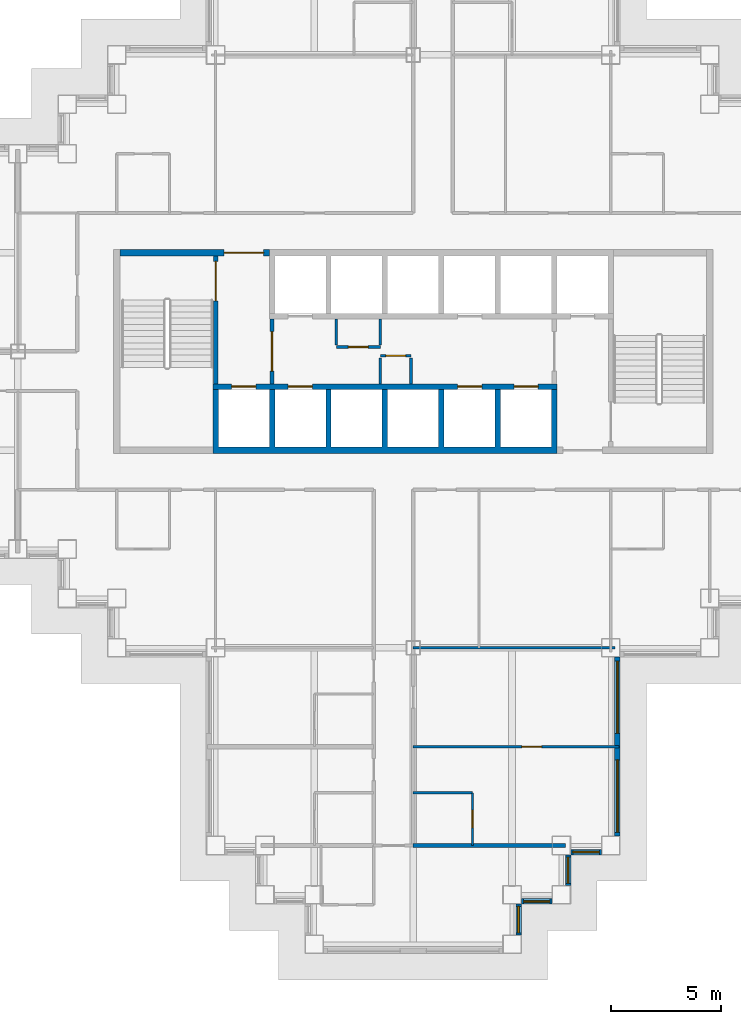
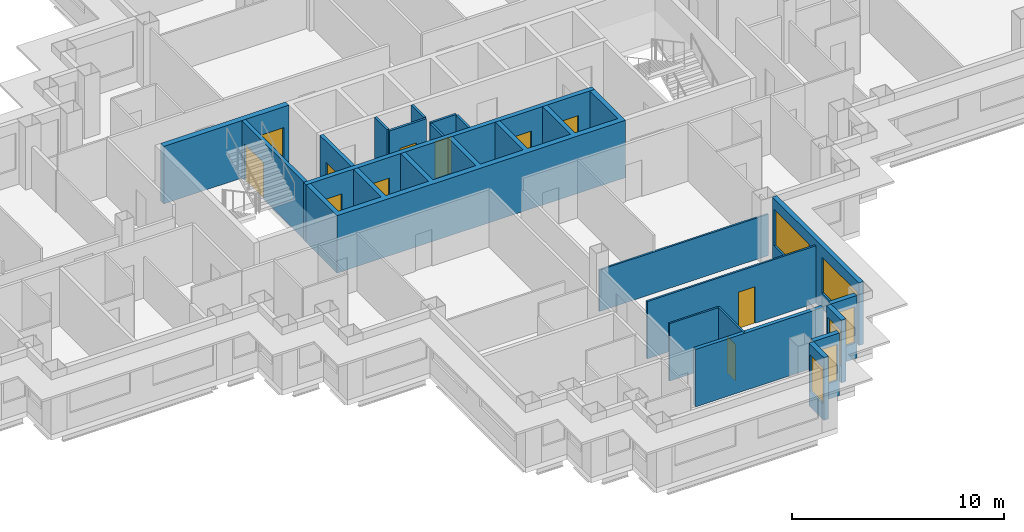
# One storey, part 6 of 16: 21 walls, 11 doors, 6 windows, 17 openings.
"""IFC4 building model written with IfcOpenShell, lengths in metres."""

import ifcopenshell
import ifcopenshell.guid

model = None  # the IFC model being written
_history = None  # IfcOwnerHistory: only IFC2X3 demands one
_inside = {}  # id of a spatial element -> (the spatial element, [elements in it])
_under = {}  # id of a project, library or spatial element -> (it, [spatial elements below it])
_declared = {}  # id of a project -> (the project, [libraries it declares])
_typed = {}  # id of a type object -> (the type object, [elements of that type])
_made_of = {}  # id of a material, layer set ... -> (it, [elements and type objects made of it])


def new_model(schema):
    """Start an empty IFC model of exactly this schema.

    Asked for "IFC4X3", IfcOpenShell would pick the latest addendum, in which some entities
    have other attributes; the version numbers below select the first issue.
    IFC2X3 requires an IfcOwnerHistory on every rooted entity: one is made here for all.
    """
    global model, _history
    if schema == "IFC4X3":
        model = ifcopenshell.file(schema_version=(4, 3, 0, 0))
    else:
        model = ifcopenshell.file(schema=schema)
    _inside.clear()
    _under.clear()
    _declared.clear()
    _typed.clear()
    _made_of.clear()
    _history = None
    if model.schema == "IFC2X3":
        org = make("IfcOrganization", Name="unknown")
        user = make(
            "IfcPersonAndOrganization",
            ThePerson=make("IfcPerson", FamilyName="unknown"),
            TheOrganization=org,
        )
        app = make(
            "IfcApplication",
            ApplicationDeveloper=org,
            Version="unknown",
            ApplicationFullName="unknown",
            ApplicationIdentifier="unknown",
        )
        _history = make(
            "IfcOwnerHistory",
            OwningUser=user,
            OwningApplication=app,
            ChangeAction="ADDED",
            CreationDate=0,
        )
    return model


def make(cls, **values):
    """One entity of the class cls with the attributes given. An attribute that is None is left unset."""
    return model.create_entity(
        cls, **{name: value for name, value in values.items() if value is not None}
    )


def rooted(cls, **values):
    """An entity with a GlobalId (a new one), such as an element, a storey or a relation."""
    return make(cls, GlobalId=ifcopenshell.guid.new(), OwnerHistory=_history, **values)


def si_unit(unit_type, name, prefix=None):
    """IfcSIUnit, for example si_unit("LENGTHUNIT", "METRE", prefix="MILLI")."""
    return make("IfcSIUnit", UnitType=unit_type, Prefix=prefix, Name=name)


def assignment(units):
    """IfcUnitAssignment: the units of a project."""
    return None if units is None else make("IfcUnitAssignment", Units=units)


def point(xyz):
    """IfcCartesianPoint."""
    return None if xyz is None else make("IfcCartesianPoint", Coordinates=xyz)


def direction(xyz):
    """IfcDirection."""
    return None if xyz is None else make("IfcDirection", DirectionRatios=xyz)


def frame(location, z_axis=None, x_axis=None):
    """IfcAxis2Placement3D, a coordinate frame: its origin and axes. An axis left out is left unset."""
    return make(
        "IfcAxis2Placement3D",
        Location=point(location),
        Axis=direction(z_axis),
        RefDirection=direction(x_axis),
    )


def frame_2d(location, x_axis=None):
    """IfcAxis2Placement2D, a coordinate frame in the plane: its origin and x axis."""
    return make(
        "IfcAxis2Placement2D", Location=point(location), RefDirection=direction(x_axis)
    )


def origin():
    """The frame at (0, 0, 0) with its axes left unset."""
    return frame((0.0, 0.0, 0.0))


def place(relative_to, where):
    """IfcLocalPlacement: puts the frame where relative to a parent placement (None: the world)."""
    return make(
        "IfcLocalPlacement", PlacementRelTo=relative_to, RelativePlacement=where
    )


def context(
    kind, dimensions, precision=None, world=None, true_north=None, identifier=None
):
    """IfcGeometricRepresentationContext, for example the 3D "Model" context."""
    return make(
        "IfcGeometricRepresentationContext",
        ContextIdentifier=identifier,
        ContextType=kind,
        CoordinateSpaceDimension=dimensions,
        Precision=precision,
        WorldCoordinateSystem=world,
        TrueNorth=true_north,
    )


def subcontext(parent, identifier, kind, view, scale=None):
    """IfcGeometricRepresentationSubContext, for example "Body" below "Model"."""
    return make(
        "IfcGeometricRepresentationSubContext",
        ContextIdentifier=identifier,
        ContextType=kind,
        ParentContext=parent,
        TargetScale=scale,
        TargetView=view,
    )


def project(units=None, contexts=None):
    """IfcProject with its units and contexts."""
    return rooted(
        "IfcProject",
        Name="project",
        RepresentationContexts=contexts,
        UnitsInContext=assignment(units),
    )


def spatial(cls, under=None, at=None, **own):
    """A site, building, storey or space (cls), placed at a placement, below another one or the project."""
    s = rooted(cls, ObjectPlacement=at, **own)
    if under is not None:
        _under.setdefault(under.id(), (under, []))[1].append(s)
    return s


def polyline(points):
    """IfcPolyline through the points."""
    return make("IfcPolyline", Points=[point(p) for p in points])


def profile(cls, at=None, kind="AREA", **sizes):
    """A parametric profile (cls). Its sizes go by their IFC names, for example OverallWidth=200.0."""
    return make(cls, ProfileType=kind, Position=at, **sizes)


def rectangle(**sizes):
    """IfcRectangleProfileDef."""
    return profile("IfcRectangleProfileDef", **sizes)


def outline(outer, holes=None, kind="AREA"):
    """IfcArbitraryClosedProfileDef: a profile drawn as a closed curve; with holes, ...WithVoids."""
    if holes is None:
        return make("IfcArbitraryClosedProfileDef", ProfileType=kind, OuterCurve=outer)
    return make(
        "IfcArbitraryProfileDefWithVoids",
        ProfileType=kind,
        OuterCurve=outer,
        InnerCurves=holes,
    )


def extrude(swept, where, along, depth):
    """IfcExtrudedAreaSolid: the profile swept, set in the frame where, extruded along a direction by depth."""
    return make(
        "IfcExtrudedAreaSolid",
        SweptArea=swept,
        Position=where,
        ExtrudedDirection=direction(along),
        Depth=depth,
    )


def shape(context_of_items, identifier, shape_type, items):
    """IfcShapeRepresentation: the items that make up one representation, for example the "Body"."""
    return make(
        "IfcShapeRepresentation",
        ContextOfItems=context_of_items,
        RepresentationIdentifier=identifier,
        RepresentationType=shape_type,
        Items=items,
    )


def material(Name=None, Category=None):
    """IfcMaterial."""
    return make("IfcMaterial", Name=Name, Category=Category)


def layer(
    of_material, thickness, ventilated=None, Name=None, Category=None, Priority=None
):
    """IfcMaterialLayer: one layer of a wall or slab, of a material (None: an air gap)."""
    return make(
        "IfcMaterialLayer",
        Material=of_material,
        LayerThickness=thickness,
        IsVentilated=ventilated,
        Name=Name,
        Category=Category,
        Priority=Priority,
    )


def layer_set(layers, Name=None):
    """IfcMaterialLayerSet."""
    return make("IfcMaterialLayerSet", MaterialLayers=layers, LayerSetName=Name)


def made_of(thing, what):
    """Note that an element or type object is made of a material, layer set ...; save() writes the relation."""
    if what is not None:
        _made_of.setdefault(what.id(), (what, []))[1].append(thing)
    return thing


def type_object(cls, material=None, **own):
    """A type object (cls), such as IfcWallType, which elements share."""
    return made_of(rooted(cls, **own), material)


def element(
    cls,
    number,
    at=None,
    inside=None,
    cuts=None,
    type_object=None,
    material=None,
    context=None,
    identifier="Body",
    shape_type=None,
    held_by="IfcProductDefinitionShape",
    body=None,
    shapes=None,
    **own,
):
    """One element of the class cls, such as IfcWall. Its Tag is "e" and its number.

    at: its placement. inside: the storey or other place that contains it. cuts: it is an
    opening in that element (IfcRelVoidsElement). A single representation is given by context,
    identifier, shape_type and body (its items); several are given by shapes. held_by: the class
    of the entity that holds the representations. save() writes the other relations.
    """
    e = rooted(cls, Tag="e%d" % number, ObjectPlacement=at, **own)
    if body is not None:
        shapes = [shape(context, identifier, shape_type, body)]
    if shapes is not None:
        e.Representation = make(held_by, Representations=shapes)
    if inside is not None:
        _inside.setdefault(inside.id(), (inside, []))[1].append(e)
    if cuts is not None:
        rooted(
            "IfcRelVoidsElement", RelatingBuildingElement=cuts, RelatedOpeningElement=e
        )
    if type_object is not None:
        _typed.setdefault(type_object.id(), (type_object, []))[1].append(e)
    return made_of(e, material)


def fill(opening, filler):
    """IfcRelFillsElement: the door or window that sits in an opening."""
    return rooted(
        "IfcRelFillsElement",
        RelatingOpeningElement=opening,
        RelatedBuildingElement=filler,
    )


def aggregate(whole, parts):
    """IfcRelAggregates: a whole, such as a stair, and the parts it consists of."""
    return rooted("IfcRelAggregates", RelatingObject=whole, RelatedObjects=parts)


def save(model, path):
    """Write the relations noted so far, then the file.

    IfcRelAggregates (storeys below a building ...), IfcRelContainedInSpatialStructure (elements
    in a storey), IfcRelDefinesByType, IfcRelAssociatesMaterial and IfcRelDeclares: one each for
    every whole, place, type object, material and project.
    """
    for whole, parts in _under.values():
        aggregate(whole, parts)
    for where, things in _inside.values():
        rooted(
            "IfcRelContainedInSpatialStructure",
            RelatedElements=things,
            RelatingStructure=where,
        )
    for kind, things in _typed.values():
        rooted("IfcRelDefinesByType", RelatedObjects=things, RelatingType=kind)
    for what, things in _made_of.values():
        rooted("IfcRelAssociatesMaterial", RelatedObjects=things, RelatingMaterial=what)
    for by, libraries in _declared.values():
        rooted("IfcRelDeclares", RelatingContext=by, RelatedDefinitions=libraries)
    model.write(path)


model = new_model("IFC4")

# Units and contexts
model_context = context("Model", 3, precision=1e-05, world=origin(), true_north=direction((0.0, 1.0)))
body_context = subcontext(model_context, "Body", "Model", "MODEL_VIEW")
ifc_project = project(units=[si_unit("LENGTHUNIT", "METRE"), si_unit("AREAUNIT", "SQUARE_METRE"), si_unit("VOLUMEUNIT", "CUBIC_METRE"), si_unit("PLANEANGLEUNIT", "RADIAN"), si_unit("MASSUNIT", "GRAM", prefix="KILO")], contexts=[model_context])

# Site, building, storey
site_placement = place(None, origin())
site = spatial("IfcSite", under=ifc_project, at=site_placement, CompositionType="ELEMENT")
building_placement = place(site_placement, origin())
building = spatial("IfcBuilding", under=site, at=building_placement, Name="Caravel Reach Hotel and Residences", CompositionType="ELEMENT")
storey_placement = place(building_placement, frame((0.0, 0.0, 133.199951171875)))
storey = spatial("IfcBuildingStorey", under=building, at=storey_placement, Name="L33", CompositionType="ELEMENT", Elevation=133.199951171875)

# Wall
ifc_material_1 = material(Name="Gypsum board on steel stud", Category="steel")
ifc_layer_1 = layer(ifc_material_1, 0.10009765625)
ifc_layer_set_1 = layer_set([ifc_layer_1], Name="Bathroom pod wall 100 mm")
wall_type_1 = type_object("IfcWallType", Name="Bathroom pod wall 100 mm", PredefinedType="PARTITIONING", material=ifc_layer_set_1)
wall_1_placement = place(storey_placement, frame((31.5, 6.89990234375, 0.0), z_axis=(0.0, 0.0, 1.0), x_axis=(1.0, 0.0, 0.0)))
element("IfcWall", 1, at=wall_1_placement, inside=storey, type_object=wall_type_1, Name="L33 wall w099", PredefinedType="PARTITIONING", context=body_context, shape_type="SweptSolid", body=[
    extrude(rectangle(XDim=2.699951171875, YDim=0.10009765625, at=frame_2d((1.35009765625, 0.0))), origin(), (0.0, 0.0, 1.0), 3.300048828125),
])

# Wall, opening, door
wall_2_placement = place(storey_placement, frame((34.199951171875, 4.5, 0.0), z_axis=(0.0, 0.0, 1.0), x_axis=(0.0, 1.0, 0.0)))
wall_2 = element("IfcWall", 2, at=wall_2_placement, inside=storey, type_object=wall_type_1, Name="L33 wall w112", PredefinedType="PARTITIONING", context=body_context, shape_type="SweptSolid", body=[
    extrude(rectangle(XDim=2.39990234375, YDim=0.10009765625, at=frame_2d((1.199951171875, 0.0))), origin(), (0.0, 0.0, 1.0), 3.300048828125),
])
opening_1_placement = place(wall_2_placement, frame((0.800048828125, 0.0, 0.0)))
opening_1 = element("IfcOpeningElement", 3, at=opening_1_placement, cuts=wall_2, Name="Opening D33-041", PredefinedType="OPENING", context=body_context, shape_type="SweptSolid", body=[
    extrude(rectangle(XDim=0.800048828125, YDim=2.10009765625, at=frame_2d((0.39990234375, 1.050048828125))), frame((0.0, 0.06005859375, 0.0), z_axis=(0.0, -1.0, 0.0), x_axis=(1.0, 0.0, 0.0)), (0.0, 0.0, 1.0), 0.1201171875),
])
ifc_material_2 = material(Name="Timber and steel door leaf", Category="steel")
door_type_1 = type_object("IfcDoorType", Name="Bathroom door 800 x 2100", OperationType="SINGLE_SWING_LEFT", PredefinedType="DOOR", material=ifc_material_2)
door_1_placement = place(opening_1_placement, origin())
door_1 = element("IfcDoor", 4, at=door_1_placement, inside=storey, type_object=door_type_1, Name="door D33-041", OperationType="SINGLE_SWING_RIGHT", OverallHeight=2.10009765625, OverallWidth=0.800048828125, PredefinedType="DOOR", context=body_context, shape_type="SweptSolid", body=[
    extrude(rectangle(XDim=0.800048828125, YDim=2.10009765625, at=frame_2d((0.39990234375, 1.050048828125))), frame((0.0, 0.02490234375, 0.0), z_axis=(0.0, -1.0, 0.0), x_axis=(1.0, 0.0, 0.0)), (0.0, 0.0, 1.0), 0.050048828125),
])
fill(opening_1, door_1)

ifc_material_3 = material(Name="Concrete C60", Category="concrete")
ifc_layer_2 = layer(ifc_material_3, 0.300048828125)
ifc_layer_set_2 = layer_set([ifc_layer_2], Name="Core wall 300 mm EI 120")
wall_type_2 = type_object("IfcWallType", Name="Core wall 300 mm EI 120", PredefinedType="SHEAR", material=ifc_layer_set_2)
wall_3_placement = place(storey_placement, frame((18.14990234375, 31.5, 0.0), z_axis=(0.0, 0.0, 1.0), x_axis=(1.0, 0.0, 0.0)))
wall_3 = element("IfcWall", 5, at=wall_3_placement, inside=storey, type_object=wall_type_2, Name="L33 core wall N1", PredefinedType="SHEAR", context=body_context, shape_type="SweptSolid", body=[
    extrude(rectangle(XDim=6.796630859375, YDim=0.300048828125, at=frame_2d((3.3984375, 0.0))), origin(), (0.0, 0.0, 1.0), 3.300048828125),
])
opening_2_placement = place(wall_3_placement, frame((4.735595703125, 0.0, 0.0)))
opening_2 = element("IfcOpeningElement", 6, at=opening_2_placement, cuts=wall_3, Name="Opening D33-014", PredefinedType="OPENING", context=body_context, shape_type="SweptSolid", body=[
    extrude(rectangle(XDim=1.800048828125, YDim=2.10009765625, at=frame_2d((0.89990234375, 1.050048828125))), frame((0.0, 0.159912109375, 0.0), z_axis=(0.0, -1.0, 0.0), x_axis=(1.0, 0.0, 0.0)), (0.0, 0.0, 1.0), 0.320068359375),
])
ifc_material_4 = material(Name="Steel fire door leaf", Category="steel")
door_type_2 = type_object("IfcDoorType", Name="Fire lobby door pair 1800 x 2100 EI 90", OperationType="DOUBLE_DOOR_SINGLE_SWING", PredefinedType="DOOR", material=ifc_material_4)
door_2_placement = place(opening_2_placement, origin())
door_2 = element("IfcDoor", 7, at=door_2_placement, inside=storey, type_object=door_type_2, Name="lobby N door pair to corridor", OperationType="DOUBLE_DOOR_SINGLE_SWING", OverallHeight=2.10009765625, OverallWidth=1.800048828125, PredefinedType="DOOR", context=body_context, shape_type="SweptSolid", body=[
    extrude(rectangle(XDim=1.800048828125, YDim=2.10009765625, at=frame_2d((0.89990234375, 1.050048828125))), frame((0.0, 0.02490234375, 0.0), z_axis=(0.0, -1.0, 0.0), x_axis=(1.0, 0.0, 0.0)), (0.0, 0.0, 1.0), 0.050048828125),
])
fill(opening_2, door_2)

# Wall, opening, window
ifc_material_5 = material(Name="Insulated rainscreen wall, aluminium cladding", Category="aluminium")
ifc_layer_3 = layer(ifc_material_5, 0.25)
ifc_layer_set_3 = layer_set([ifc_layer_3], Name="EW1 Tower rainscreen wall")
wall_type_3 = type_object("IfcWallType", Name="EW1 Tower rainscreen wall", PredefinedType="SOLIDWALL", material=ifc_layer_set_3)
wall_4_placement = place(storey_placement, frame((36.300048828125, 0.425048828125, 0.0), z_axis=(0.0, 0.0, 1.0), x_axis=(0.0, 1.0, 0.0)))
wall_4 = element("IfcWall", 8, at=wall_4_placement, inside=storey, type_object=wall_type_3, Name="External wall L33 E6.1", PredefinedType="SOLIDWALL", context=body_context, shape_type="SweptSolid", body=[
    extrude(rectangle(XDim=1.39990234375, YDim=0.25, at=frame_2d((0.699951171875, 0.0))), origin(), (0.0, 0.0, 1.0), 3.60009765625),
])
opening_3_placement = place(wall_4_placement, frame((0.10009765625, 0.0, 0.89990234375)))
opening_3 = element("IfcOpeningElement", 9, at=opening_3_placement, cuts=wall_4, Name="Opening WN9", PredefinedType="OPENING", context=body_context, shape_type="SweptSolid", body=[
    extrude(rectangle(XDim=1.199951171875, YDim=2.080078125, at=frame_2d((0.60009765625, 1.0400390625))), frame((0.0, 0.135009765625, 0.0), z_axis=(0.0, -1.0, 0.0), x_axis=(1.0, 0.0, 0.0)), (0.0, 0.0, 1.0), 0.27001953125),
])
ifc_material_6 = material(Name="Dark low-e glazing in black aluminium frame", Category="aluminium")
window_type_1 = type_object("IfcWindowType", Name="Hotel suite corner window 1200 x 2080", PartitioningType="SINGLE_PANEL", PredefinedType="WINDOW", material=ifc_material_6)
window_1_placement = place(opening_3_placement, origin())
window_1 = element("IfcWindow", 10, at=window_1_placement, inside=storey, type_object=window_type_1, Name="Window L33 E6.1.1", OverallHeight=2.080078125, OverallWidth=1.199951171875, PartitioningType="SINGLE_PANEL", PredefinedType="WINDOW", context=body_context, shape_type="SweptSolid", body=[
    extrude(rectangle(XDim=1.199951171875, YDim=2.080078125, at=frame_2d((0.60009765625, 1.0400390625))), frame((0.0, 0.030029296875, 0.0), z_axis=(0.0, -1.0, 0.0), x_axis=(1.0, 0.0, 0.0)), (0.0, 0.0, 1.0), 0.06005859375),
])
fill(opening_3, window_1)

wall_5_placement = place(storey_placement, frame((36.425048828125, 1.949951171875, 0.0), z_axis=(0.0, 0.0, 1.0), x_axis=(1.0, 0.0, 0.0)))
wall_5 = element("IfcWall", 11, at=wall_5_placement, inside=storey, type_object=wall_type_3, Name="External wall L33 S7.1", PredefinedType="SOLIDWALL", context=body_context, shape_type="SweptSolid", body=[
    extrude(rectangle(XDim=1.39990234375, YDim=0.25, at=frame_2d((0.699951171875, 0.0))), origin(), (0.0, 0.0, 1.0), 3.60009765625),
])
opening_4_placement = place(wall_5_placement, frame((0.10009765625, 0.0, 0.89990234375)))
opening_4 = element("IfcOpeningElement", 12, at=opening_4_placement, cuts=wall_5, Name="Opening WN9", PredefinedType="OPENING", context=body_context, shape_type="SweptSolid", body=[
    extrude(rectangle(XDim=1.199951171875, YDim=2.080078125, at=frame_2d((0.60009765625, 1.0400390625))), frame((0.0, 0.135009765625, 0.0), z_axis=(0.0, -1.0, 0.0), x_axis=(1.0, 0.0, 0.0)), (0.0, 0.0, 1.0), 0.27001953125),
])
window_2_placement = place(opening_4_placement, origin())
window_2 = element("IfcWindow", 13, at=window_2_placement, inside=storey, type_object=window_type_1, Name="Window L33 S7.1.1", OverallHeight=2.080078125, OverallWidth=1.199951171875, PartitioningType="SINGLE_PANEL", PredefinedType="WINDOW", context=body_context, shape_type="SweptSolid", body=[
    extrude(rectangle(XDim=1.199951171875, YDim=2.080078125, at=frame_2d((0.60009765625, 1.0400390625))), frame((0.0, 0.030029296875, 0.0), z_axis=(0.0, -1.0, 0.0), x_axis=(1.0, 0.0, 0.0)), (0.0, 0.0, 1.0), 0.06005859375),
])
fill(opening_4, window_2)

wall_6_placement = place(storey_placement, frame((38.550048828125, 2.675048828125, 0.0), z_axis=(0.0, 0.0, 1.0), x_axis=(0.0, 1.0, 0.0)))
wall_6 = element("IfcWall", 14, at=wall_6_placement, inside=storey, type_object=wall_type_3, Name="External wall L33 E8.1", PredefinedType="SOLIDWALL", context=body_context, shape_type="SweptSolid", body=[
    extrude(rectangle(XDim=1.39990234375, YDim=0.25, at=frame_2d((0.699951171875, 0.0))), origin(), (0.0, 0.0, 1.0), 3.60009765625),
])
opening_5_placement = place(wall_6_placement, frame((0.10009765625, 0.0, 0.89990234375)))
opening_5 = element("IfcOpeningElement", 15, at=opening_5_placement, cuts=wall_6, Name="Opening WN9", PredefinedType="OPENING", context=body_context, shape_type="SweptSolid", body=[
    extrude(rectangle(XDim=1.199951171875, YDim=2.080078125, at=frame_2d((0.60009765625, 1.0400390625))), frame((0.0, 0.135009765625, 0.0), z_axis=(0.0, -1.0, 0.0), x_axis=(1.0, 0.0, 0.0)), (0.0, 0.0, 1.0), 0.27001953125),
])
window_3_placement = place(opening_5_placement, origin())
window_3 = element("IfcWindow", 16, at=window_3_placement, inside=storey, type_object=window_type_1, Name="Window L33 E8.1.1", OverallHeight=2.080078125, OverallWidth=1.199951171875, PartitioningType="SINGLE_PANEL", PredefinedType="WINDOW", context=body_context, shape_type="SweptSolid", body=[
    extrude(rectangle(XDim=1.199951171875, YDim=2.080078125, at=frame_2d((0.60009765625, 1.0400390625))), frame((0.0, 0.030029296875, 0.0), z_axis=(0.0, -1.0, 0.0), x_axis=(1.0, 0.0, 0.0)), (0.0, 0.0, 1.0), 0.06005859375),
])
fill(opening_5, window_3)

wall_7_placement = place(storey_placement, frame((38.675048828125, 4.199951171875, 0.0), z_axis=(0.0, 0.0, 1.0), x_axis=(1.0, 0.0, 0.0)))
wall_7 = element("IfcWall", 17, at=wall_7_placement, inside=storey, type_object=wall_type_3, Name="External wall L33 S9.1", PredefinedType="SOLIDWALL", context=body_context, shape_type="SweptSolid", body=[
    extrude(rectangle(XDim=1.39990234375, YDim=0.25, at=frame_2d((0.699951171875, 0.0))), origin(), (0.0, 0.0, 1.0), 3.60009765625),
])
opening_6_placement = place(wall_7_placement, frame((0.10009765625, 0.0, 0.89990234375)))
opening_6 = element("IfcOpeningElement", 18, at=opening_6_placement, cuts=wall_7, Name="Opening WN9", PredefinedType="OPENING", context=body_context, shape_type="SweptSolid", body=[
    extrude(rectangle(XDim=1.199951171875, YDim=2.080078125, at=frame_2d((0.60009765625, 1.0400390625))), frame((0.0, 0.135009765625, 0.0), z_axis=(0.0, -1.0, 0.0), x_axis=(1.0, 0.0, 0.0)), (0.0, 0.0, 1.0), 0.27001953125),
])
window_4_placement = place(opening_6_placement, origin())
window_4 = element("IfcWindow", 19, at=window_4_placement, inside=storey, type_object=window_type_1, Name="Window L33 S9.1.1", OverallHeight=2.080078125, OverallWidth=1.199951171875, PartitioningType="SINGLE_PANEL", PredefinedType="WINDOW", context=body_context, shape_type="SweptSolid", body=[
    extrude(rectangle(XDim=1.199951171875, YDim=2.080078125, at=frame_2d((0.60009765625, 1.0400390625))), frame((0.0, 0.030029296875, 0.0), z_axis=(0.0, -1.0, 0.0), x_axis=(1.0, 0.0, 0.0)), (0.0, 0.0, 1.0), 0.06005859375),
])
fill(opening_6, window_4)

# Wall, openings, windows
wall_8_placement = place(storey_placement, frame((40.800048828125, 4.925048828125, 0.0), z_axis=(0.0, 0.0, 1.0), x_axis=(0.0, 1.0, 0.0)))
wall_8 = element("IfcWall", 20, at=wall_8_placement, inside=storey, type_object=wall_type_3, Name="External wall L33 E10.1", PredefinedType="SOLIDWALL", context=body_context, shape_type="SweptSolid", body=[
    extrude(rectangle(XDim=8.14990234375, YDim=0.25, at=frame_2d((4.074951171875, 0.0))), origin(), (0.0, 0.0, 1.0), 3.60009765625),
])
opening_7_placement = place(wall_8_placement, frame((0.175048828125, 0.0, 0.89990234375)))
opening_7 = element("IfcOpeningElement", 21, at=opening_7_placement, cuts=wall_8, Name="Opening WN4", PredefinedType="OPENING", context=body_context, shape_type="SweptSolid", body=[
    extrude(rectangle(XDim=3.300048828125, YDim=2.080078125, at=frame_2d((1.64990234375, 1.0400390625))), frame((0.0, 0.135009765625, 0.0), z_axis=(0.0, -1.0, 0.0), x_axis=(1.0, 0.0, 0.0)), (0.0, 0.0, 1.0), 0.27001953125),
])
opening_8_placement = place(wall_8_placement, frame((4.675048828125, 0.0, 0.89990234375)))
opening_8 = element("IfcOpeningElement", 22, at=opening_8_placement, cuts=wall_8, Name="Opening WN4", PredefinedType="OPENING", context=body_context, shape_type="SweptSolid", body=[
    extrude(rectangle(XDim=3.300048828125, YDim=2.080078125, at=frame_2d((1.64990234375, 1.0400390625))), frame((0.0, 0.135009765625, 0.0), z_axis=(0.0, -1.0, 0.0), x_axis=(1.0, 0.0, 0.0)), (0.0, 0.0, 1.0), 0.27001953125),
])
ifc_material_7 = material(Name="Dark low-e glazing in black aluminium frame", Category="aluminium")
window_type_2 = type_object("IfcWindowType", Name="Hotel guest room window 3300 x 2080", PartitioningType="SINGLE_PANEL", PredefinedType="WINDOW", material=ifc_material_7)
window_5_placement = place(opening_7_placement, origin())
window_5 = element("IfcWindow", 23, at=window_5_placement, inside=storey, type_object=window_type_2, Name="Window L33 E10.1.1", OverallHeight=2.080078125, OverallWidth=3.300048828125, PartitioningType="SINGLE_PANEL", PredefinedType="WINDOW", context=body_context, shape_type="SweptSolid", body=[
    extrude(rectangle(XDim=3.300048828125, YDim=2.080078125, at=frame_2d((1.64990234375, 1.0400390625))), frame((0.0, 0.030029296875, 0.0), z_axis=(0.0, -1.0, 0.0), x_axis=(1.0, 0.0, 0.0)), (0.0, 0.0, 1.0), 0.06005859375),
])
fill(opening_7, window_5)
window_6_placement = place(opening_8_placement, origin())
window_6 = element("IfcWindow", 24, at=window_6_placement, inside=storey, type_object=window_type_2, Name="Window L33 E10.1.2", OverallHeight=2.080078125, OverallWidth=3.300048828125, PartitioningType="SINGLE_PANEL", PredefinedType="WINDOW", context=body_context, shape_type="SweptSolid", body=[
    extrude(rectangle(XDim=3.300048828125, YDim=2.080078125, at=frame_2d((1.64990234375, 1.0400390625))), frame((0.0, 0.030029296875, 0.0), z_axis=(0.0, -1.0, 0.0), x_axis=(1.0, 0.0, 0.0)), (0.0, 0.0, 1.0), 0.06005859375),
])
fill(opening_8, window_6)

# Wall, opening, door
ifc_material_8 = material(Name="Autoclaved aerated block wall")
ifc_layer_4 = layer(ifc_material_8, 0.199951171875)
ifc_layer_set_4 = layer_set([ifc_layer_4], Name="Fire lobby wall 200 mm EI 120")
wall_type_4 = type_object("IfcWallType", Name="Fire lobby wall 200 mm EI 120", PredefinedType="PARTITIONING", material=ifc_layer_set_4)
wall_9_placement = place(storey_placement, frame((25.071533203125, 25.52490234375, 0.0), z_axis=(0.0, 0.0, 1.0), x_axis=(0.0, 1.0, 0.0)))
wall_9 = element("IfcWall", 25, at=wall_9_placement, inside=storey, type_object=wall_type_4, Name="L33 lobby W wall", PredefinedType="PARTITIONING", context=body_context, shape_type="SweptSolid", body=[
    extrude(rectangle(XDim=2.9501953125, YDim=0.199951171875, at=frame_2d((1.47509765625, 0.0))), origin(), (0.0, 0.0, 1.0), 3.300048828125),
])
opening_9_placement = place(wall_9_placement, frame((0.574951171875, 0.0, 0.0)))
opening_9 = element("IfcOpeningElement", 26, at=opening_9_placement, cuts=wall_9, Name="Opening D33-012", PredefinedType="OPENING", context=body_context, shape_type="SweptSolid", body=[
    extrude(rectangle(XDim=1.800048828125, YDim=2.10009765625, at=frame_2d((0.89990234375, 1.050048828125))), frame((0.0, 0.10986328125, 0.0), z_axis=(0.0, -1.0, 0.0), x_axis=(1.0, 0.0, 0.0)), (0.0, 0.0, 1.0), 0.219970703125),
])
door_3_placement = place(opening_9_placement, origin())
door_3 = element("IfcDoor", 27, at=door_3_placement, inside=storey, type_object=door_type_2, Name="lobby W door pair", OperationType="DOUBLE_DOOR_SINGLE_SWING", OverallHeight=2.10009765625, OverallWidth=1.800048828125, PredefinedType="DOOR", context=body_context, shape_type="SweptSolid", body=[
    extrude(rectangle(XDim=1.800048828125, YDim=2.10009765625, at=frame_2d((0.89990234375, 1.050048828125))), frame((0.0, 0.02490234375, 0.0), z_axis=(0.0, -1.0, 0.0), x_axis=(1.0, 0.0, 0.0)), (0.0, 0.0, 1.0), 0.050048828125),
])
fill(opening_9, door_3)

# Wall
ifc_material_9 = material(Name="Gypsum board on steel stud", Category="steel")
ifc_layer_5 = layer(ifc_material_9, 0.10009765625)
ifc_layer_set_5 = layer_set([ifc_layer_5], Name="Partition 100 mm")
wall_type_5 = type_object("IfcWallType", Name="Partition 100 mm", PredefinedType="PARTITIONING", material=ifc_layer_set_5)
wall_10_placement = place(storey_placement, frame((31.5, 13.5, 0.0), z_axis=(0.0, 0.0, 1.0), x_axis=(1.0, 0.0, 0.0)))
element("IfcWall", 28, at=wall_10_placement, inside=storey, type_object=wall_type_5, Name="L33 wall w043", PredefinedType="PARTITIONING", context=body_context, shape_type="SweptSolid", body=[
    extrude(rectangle(XDim=9.18994140625, YDim=0.10009765625, at=frame_2d((4.594970703125, 0.0))), origin(), (0.0, 0.0, 1.0), 2.380126953125),
])

# Wall, opening, door
wall_11_placement = place(storey_placement, frame((31.5, 9.0, 0.0), z_axis=(0.0, 0.0, 1.0), x_axis=(1.0, 0.0, 0.0)))
wall_11 = element("IfcWall", 29, at=wall_11_placement, inside=storey, type_object=wall_type_5, Name="L33 wall w054", PredefinedType="PARTITIONING", context=body_context, shape_type="SweptSolid", body=[
    extrude(rectangle(XDim=9.364990234375, YDim=0.10009765625, at=frame_2d((4.6826171875, 0.0))), origin(), (0.0, 0.0, 1.0), 3.300048828125),
])
opening_10_placement = place(wall_11_placement, frame((4.949951171875, 0.0, 0.0)))
opening_10 = element("IfcOpeningElement", 30, at=opening_10_placement, cuts=wall_11, Name="Opening D33-040", PredefinedType="OPENING", context=body_context, shape_type="SweptSolid", body=[
    extrude(rectangle(XDim=0.89990234375, YDim=2.10009765625, at=frame_2d((0.449951171875, 1.050048828125))), frame((0.0, 0.06005859375, 0.0), z_axis=(0.0, -1.0, 0.0), x_axis=(1.0, 0.0, 0.0)), (0.0, 0.0, 1.0), 0.1201171875),
])
ifc_material_10 = material(Name="Timber and steel door leaf", Category="steel")
door_type_3 = type_object("IfcDoorType", Name="Door 900 x 2100 timber", OperationType="SINGLE_SWING_LEFT", PredefinedType="DOOR", material=ifc_material_10)
door_4_placement = place(opening_10_placement, origin())
door_4 = element("IfcDoor", 31, at=door_4_placement, inside=storey, type_object=door_type_3, Name="door D33-040", OperationType="SINGLE_SWING_RIGHT", OverallHeight=2.10009765625, OverallWidth=0.89990234375, PredefinedType="DOOR", context=body_context, shape_type="SweptSolid", body=[
    extrude(rectangle(XDim=0.89990234375, YDim=2.10009765625, at=frame_2d((0.449951171875, 1.050048828125))), frame((0.0, 0.02490234375, 0.0), z_axis=(0.0, -1.0, 0.0), x_axis=(1.0, 0.0, 0.0)), (0.0, 0.0, 1.0), 0.050048828125),
])
fill(opening_10, door_4)

# Wall
ifc_material_11 = material(Name="Autoclaved aerated block wall")
ifc_layer_6 = layer(ifc_material_11, 0.199951171875)
ifc_layer_set_6 = layer_set([ifc_layer_6], Name="Party wall 200 mm EI 60")
wall_type_6 = type_object("IfcWallType", Name="Party wall 200 mm EI 60", PredefinedType="PARTITIONING", material=ifc_layer_set_6)
wall_12_placement = place(storey_placement, frame((31.5, 4.5, 0.0), z_axis=(0.0, 0.0, 1.0), x_axis=(1.0, 0.0, 0.0)))
element("IfcWall", 32, at=wall_12_placement, inside=storey, type_object=wall_type_6, Name="L33 wall w071", PredefinedType="PARTITIONING", context=body_context, shape_type="SweptSolid", body=[
    extrude(rectangle(XDim=6.93994140625, YDim=0.199951171875, at=frame_2d((3.469970703125, 0.0))), origin(), (0.0, 0.0, 1.0), 3.300048828125),
])

# Wall, opening, door
ifc_material_12 = material(Name="Autoclaved aerated block wall")
ifc_layer_7 = layer(ifc_material_12, 0.125)
ifc_layer_set_7 = layer_set([ifc_layer_7], Name="Riser wall 125 mm EI 60")
wall_type_7 = type_object("IfcWallType", Name="Riser wall 125 mm EI 60", PredefinedType="PARTITIONING", material=ifc_layer_set_7)
wall_13_placement = place(storey_placement, frame((30.0, 26.800048828125, 0.0), z_axis=(0.0, 0.0, 1.0), x_axis=(1.0, 0.0, 0.0)))
wall_13 = element("IfcWall", 33, at=wall_13_placement, inside=storey, type_object=wall_type_7, Name="L33 service room wall S1", PredefinedType="PARTITIONING", context=body_context, shape_type="SweptSolid", body=[
    extrude(rectangle(XDim=1.39990234375, YDim=0.125, at=frame_2d((0.699951171875, 0.0))), origin(), (0.0, 0.0, 1.0), 3.300048828125),
])
opening_11_placement = place(wall_13_placement, frame((0.25, 0.0, 0.0)))
opening_11 = element("IfcOpeningElement", 34, at=opening_11_placement, cuts=wall_13, Name="Opening D33-008", PredefinedType="OPENING", context=body_context, shape_type="SweptSolid", body=[
    extrude(rectangle(XDim=0.89990234375, YDim=2.10009765625, at=frame_2d((0.449951171875, 1.050048828125))), frame((0.0, 0.072509765625, 0.0), z_axis=(0.0, -1.0, 0.0), x_axis=(1.0, 0.0, 0.0)), (0.0, 0.0, 1.0), 0.14501953125),
])
ifc_material_13 = material(Name="Steel fire door leaf", Category="steel")
door_type_4 = type_object("IfcDoorType", Name="Riser door 900 x 2100 EI 60", OperationType="SINGLE_SWING_LEFT", PredefinedType="DOOR", material=ifc_material_13)
door_5_placement = place(opening_11_placement, origin())
door_5 = element("IfcDoor", 35, at=door_5_placement, inside=storey, type_object=door_type_4, Name="Water treatment room door", OperationType="SINGLE_SWING_LEFT", OverallHeight=2.10009765625, OverallWidth=0.89990234375, PredefinedType="DOOR", context=body_context, shape_type="SweptSolid", body=[
    extrude(rectangle(XDim=0.89990234375, YDim=2.10009765625, at=frame_2d((0.449951171875, 1.050048828125))), frame((0.0, 0.02490234375, 0.0), z_axis=(0.0, -1.0, 0.0), x_axis=(1.0, 0.0, 0.0)), (0.0, 0.0, 1.0), 0.050048828125),
])
fill(opening_11, door_5)

# Walls
for number, where, z_axis, x_axis, name in (
    (36, (30.0, 25.52490234375, 0.0), (0.0, 0.0, 1.0), (0.0, 1.0, 0.0), "L33 service room partition S1"),
    (37, (31.39990234375, 25.52490234375, 0.0), (0.0, 0.0, 1.0), (0.0, 1.0, 0.0), "L33 service room partition S1"),
):
    element("IfcWall", number, at=place(storey_placement, frame(where, z_axis=z_axis, x_axis=x_axis)), inside=storey, type_object=wall_type_7, Name=name, PredefinedType="PARTITIONING", context=body_context, shape_type="SweptSolid", body=[
        extrude(rectangle(XDim=1.175048828125, YDim=0.125, at=frame_2d((0.58740234375, 0.0))), origin(), (0.0, 0.0, 1.0), 3.300048828125),
    ])

# Wall, opening, door
wall_14_placement = place(storey_placement, frame((28.0, 27.199951171875, 0.0), z_axis=(0.0, 0.0, 1.0), x_axis=(1.0, 0.0, 0.0)))
wall_14 = element("IfcWall", 38, at=wall_14_placement, inside=storey, type_object=wall_type_7, Name="L33 service room wall N1", PredefinedType="PARTITIONING", context=body_context, shape_type="SweptSolid", body=[
    extrude(rectangle(XDim=2.0, YDim=0.125, at=frame_2d((1.0, 0.0))), origin(), (0.0, 0.0, 1.0), 3.300048828125),
])
opening_12_placement = place(wall_14_placement, frame((0.550048828125, 0.0, 0.0)))
opening_12 = element("IfcOpeningElement", 39, at=opening_12_placement, cuts=wall_14, Name="Opening D33-009", PredefinedType="OPENING", context=body_context, shape_type="SweptSolid", body=[
    extrude(rectangle(XDim=0.89990234375, YDim=2.10009765625, at=frame_2d((0.449951171875, 1.050048828125))), frame((0.0, 0.072509765625, 0.0), z_axis=(0.0, -1.0, 0.0), x_axis=(1.0, 0.0, 0.0)), (0.0, 0.0, 1.0), 0.14501953125),
])
door_6_placement = place(opening_12_placement, origin())
door_6 = element("IfcDoor", 40, at=door_6_placement, inside=storey, type_object=door_type_4, Name="Spa linen store door", OperationType="SINGLE_SWING_LEFT", OverallHeight=2.10009765625, OverallWidth=0.89990234375, PredefinedType="DOOR", context=body_context, shape_type="SweptSolid", body=[
    extrude(rectangle(XDim=0.89990234375, YDim=2.10009765625, at=frame_2d((0.449951171875, 1.050048828125))), frame((0.0, 0.02490234375, 0.0), z_axis=(0.0, -1.0, 0.0), x_axis=(1.0, 0.0, 0.0)), (0.0, 0.0, 1.0), 0.050048828125),
])
fill(opening_12, door_6)

# Walls
for number, where, z_axis, x_axis, name in (
    (41, (28.0, 28.47509765625, 0.0), (0.0, 0.0, 1.0), (0.0, -1.0, 0.0), "L33 service room partition N1"),
    (42, (30.0, 28.47509765625, 0.0), (0.0, 0.0, 1.0), (0.0, -1.0, 0.0), "L33 service room partition N1"),
):
    element("IfcWall", number, at=place(storey_placement, frame(where, z_axis=z_axis, x_axis=x_axis)), inside=storey, type_object=wall_type_7, Name=name, PredefinedType="PARTITIONING", context=body_context, shape_type="SweptSolid", body=[
        extrude(rectangle(XDim=1.175048828125, YDim=0.125, at=frame_2d((0.58740234375, 0.0))), origin(), (0.0, 0.0, 1.0), 3.300048828125),
    ])
ifc_material_14 = material(Name="Concrete C60", Category="concrete")
ifc_layer_8 = layer(ifc_material_14, 0.25)
ifc_layer_set_8 = layer_set([ifc_layer_8], Name="Shaft wall 250 mm EI 120")
wall_type_8 = type_object("IfcWallType", Name="Shaft wall 250 mm EI 120", PredefinedType="SHEAR", material=ifc_layer_set_8)
wall_15_placement = place(storey_placement, origin())
element("IfcWall", 43, at=wall_15_placement, inside=storey, type_object=wall_type_8, Name="L33 lift shaft wall S1", PredefinedType="SHEAR", context=body_context, shape_type="SweptSolid", body=[
    extrude(outline(polyline([(22.375, 22.35009765625), (38.053466796875, 22.35009765625), (38.053466796875, 25.27490234375), (37.803466796875, 25.27490234375), (37.803466796875, 22.64990234375), (35.482177734375, 22.64990234375), (35.482177734375, 25.27490234375), (35.232177734375, 25.27490234375), (35.232177734375, 22.64990234375), (32.91064453125, 22.64990234375), (32.91064453125, 25.27490234375), (32.66064453125, 25.27490234375), (32.66064453125, 22.64990234375), (30.33935546875, 22.64990234375), (30.33935546875, 25.27490234375), (30.08935546875, 25.27490234375), (30.08935546875, 22.64990234375), (27.767822265625, 22.64990234375), (27.767822265625, 25.27490234375), (27.517822265625, 25.27490234375), (27.517822265625, 22.64990234375), (25.196533203125, 22.64990234375), (25.196533203125, 25.27490234375), (24.946533203125, 25.27490234375), (24.946533203125, 22.64990234375), (22.625, 22.64990234375), (22.625, 25.27490234375), (22.375, 25.27490234375), (22.375, 22.35009765625)])), origin(), (0.0, 0.0, 1.0), 3.300048828125),
])

# Wall, openings, doors
wall_16_placement = place(storey_placement, frame((22.375, 25.39990234375, 0.0), z_axis=(0.0, 0.0, 1.0), x_axis=(1.0, 0.0, 0.0)))
wall_16 = element("IfcWall", 44, at=wall_16_placement, inside=storey, type_object=wall_type_8, Name="L33 lobby wall S1", PredefinedType="SHEAR", context=body_context, shape_type="SweptSolid", body=[
    extrude(rectangle(XDim=15.678466796875, YDim=0.25, at=frame_2d((7.83935546875, 0.0))), origin(), (0.0, 0.0, 1.0), 3.300048828125),
])
opening_13_placement = place(wall_16_placement, frame((3.43212890625, 0.0, 0.0)))
opening_13 = element("IfcOpeningElement", 45, at=opening_13_placement, cuts=wall_16, Name="Opening D33-001", PredefinedType="OPENING", context=body_context, shape_type="SweptSolid", body=[
    extrude(rectangle(XDim=1.10009765625, YDim=2.10009765625, at=frame_2d((0.550048828125, 1.050048828125))), frame((0.0, 0.135009765625, 0.0), z_axis=(0.0, -1.0, 0.0), x_axis=(1.0, 0.0, 0.0)), (0.0, 0.0, 1.0), 0.27001953125),
])
opening_14_placement = place(wall_16_placement, frame((11.146484375, 0.0, 0.0)))
opening_14 = element("IfcOpeningElement", 46, at=opening_14_placement, cuts=wall_16, Name="Opening D33-002", PredefinedType="OPENING", context=body_context, shape_type="SweptSolid", body=[
    extrude(rectangle(XDim=1.10009765625, YDim=2.10009765625, at=frame_2d((0.550048828125, 1.050048828125))), frame((0.0, 0.135009765625, 0.0), z_axis=(0.0, -1.0, 0.0), x_axis=(1.0, 0.0, 0.0)), (0.0, 0.0, 1.0), 0.27001953125),
])
opening_15_placement = place(wall_16_placement, frame((13.718017578125, 0.0, 0.0)))
opening_15 = element("IfcOpeningElement", 47, at=opening_15_placement, cuts=wall_16, Name="Opening D33-003", PredefinedType="OPENING", context=body_context, shape_type="SweptSolid", body=[
    extrude(rectangle(XDim=1.10009765625, YDim=2.10009765625, at=frame_2d((0.550048828125, 1.050048828125))), frame((0.0, 0.135009765625, 0.0), z_axis=(0.0, -1.0, 0.0), x_axis=(1.0, 0.0, 0.0)), (0.0, 0.0, 1.0), 0.27001953125),
])
opening_16_placement = place(wall_16_placement, frame((0.860595703125, 0.0, 0.0)))
opening_16 = element("IfcOpeningElement", 48, at=opening_16_placement, cuts=wall_16, Name="Opening D33-006", PredefinedType="OPENING", context=body_context, shape_type="SweptSolid", body=[
    extrude(rectangle(XDim=1.10009765625, YDim=2.10009765625, at=frame_2d((0.550048828125, 1.050048828125))), frame((0.0, 0.135009765625, 0.0), z_axis=(0.0, -1.0, 0.0), x_axis=(1.0, 0.0, 0.0)), (0.0, 0.0, 1.0), 0.27001953125),
])
ifc_material_15 = material(Name="Stainless steel landing door", Category="steel")
door_type_5 = type_object("IfcDoorType", Name="Landing door LD 1100 x 2100 sliding", OperationType="DOUBLE_DOOR_SLIDING", PredefinedType="DOOR", material=ifc_material_15)
door_7_placement = place(opening_13_placement, origin())
door_7 = element("IfcDoor", 49, at=door_7_placement, inside=storey, type_object=door_type_5, Name="LP1 landing door", OperationType="DOUBLE_DOOR_SLIDING", OverallHeight=2.10009765625, OverallWidth=1.10009765625, PredefinedType="DOOR", context=body_context, shape_type="SweptSolid", body=[
    extrude(rectangle(XDim=1.10009765625, YDim=2.10009765625, at=frame_2d((0.550048828125, 1.050048828125))), frame((0.0, 0.02490234375, 0.0), z_axis=(0.0, -1.0, 0.0), x_axis=(1.0, 0.0, 0.0)), (0.0, 0.0, 1.0), 0.050048828125),
])
fill(opening_13, door_7)
door_8_placement = place(opening_14_placement, origin())
door_8 = element("IfcDoor", 50, at=door_8_placement, inside=storey, type_object=door_type_5, Name="LP2 landing door", OperationType="DOUBLE_DOOR_SLIDING", OverallHeight=2.10009765625, OverallWidth=1.10009765625, PredefinedType="DOOR", context=body_context, shape_type="SweptSolid", body=[
    extrude(rectangle(XDim=1.10009765625, YDim=2.10009765625, at=frame_2d((0.550048828125, 1.050048828125))), frame((0.0, 0.02490234375, 0.0), z_axis=(0.0, -1.0, 0.0), x_axis=(1.0, 0.0, 0.0)), (0.0, 0.0, 1.0), 0.050048828125),
])
fill(opening_14, door_8)
door_9_placement = place(opening_15_placement, origin())
door_9 = element("IfcDoor", 51, at=door_9_placement, inside=storey, type_object=door_type_5, Name="LP3 landing door", OperationType="DOUBLE_DOOR_SLIDING", OverallHeight=2.10009765625, OverallWidth=1.10009765625, PredefinedType="DOOR", context=body_context, shape_type="SweptSolid", body=[
    extrude(rectangle(XDim=1.10009765625, YDim=2.10009765625, at=frame_2d((0.550048828125, 1.050048828125))), frame((0.0, 0.02490234375, 0.0), z_axis=(0.0, -1.0, 0.0), x_axis=(1.0, 0.0, 0.0)), (0.0, 0.0, 1.0), 0.050048828125),
])
fill(opening_15, door_9)
door_10_placement = place(opening_16_placement, origin())
door_10 = element("IfcDoor", 52, at=door_10_placement, inside=storey, type_object=door_type_5, Name="FL1 landing door", OperationType="DOUBLE_DOOR_SLIDING", OverallHeight=2.10009765625, OverallWidth=1.10009765625, PredefinedType="DOOR", context=body_context, shape_type="SweptSolid", body=[
    extrude(rectangle(XDim=1.10009765625, YDim=2.10009765625, at=frame_2d((0.550048828125, 1.050048828125))), frame((0.0, 0.02490234375, 0.0), z_axis=(0.0, -1.0, 0.0), x_axis=(1.0, 0.0, 0.0)), (0.0, 0.0, 1.0), 0.050048828125),
])
fill(opening_16, door_10)

# Wall, opening, door
ifc_material_16 = material(Name="Concrete C60", Category="concrete")
ifc_layer_9 = layer(ifc_material_16, 0.199951171875)
ifc_layer_set_9 = layer_set([ifc_layer_9], Name="Stair enclosure wall 200 mm EI 120")
wall_type_9 = type_object("IfcWallType", Name="Stair enclosure wall 200 mm EI 120", PredefinedType="SHEAR", material=ifc_layer_set_9)
wall_17_placement = place(storey_placement, frame((22.5, 31.35009765625, 0.0), z_axis=(0.0, 0.0, 1.0), x_axis=(0.0, -1.0, 0.0)))
wall_17 = element("IfcWall", 53, at=wall_17_placement, inside=storey, type_object=wall_type_9, Name="L33 stair A wall", PredefinedType="SHEAR", context=body_context, shape_type="SweptSolid", body=[
    extrude(rectangle(XDim=5.8251953125, YDim=0.199951171875, at=frame_2d((2.91259765625, 0.0))), origin(), (0.0, 0.0, 1.0), 3.300048828125),
])
opening_17_placement = place(wall_17_placement, frame((0.25, 0.0, 0.0)))
opening_17 = element("IfcOpeningElement", 54, at=opening_17_placement, cuts=wall_17, Name="Opening D33-010", PredefinedType="OPENING", context=body_context, shape_type="SweptSolid", body=[
    extrude(rectangle(XDim=1.800048828125, YDim=2.10009765625, at=frame_2d((0.89990234375, 1.050048828125))), frame((0.0, 0.10986328125, 0.0), z_axis=(0.0, -1.0, 0.0), x_axis=(1.0, 0.0, 0.0)), (0.0, 0.0, 1.0), 0.219970703125),
])
ifc_material_17 = material(Name="Steel fire door leaf", Category="steel")
door_type_6 = type_object("IfcDoorType", Name="Stair door pair 1800 x 2100 EI 90", OperationType="DOUBLE_DOOR_SINGLE_SWING", PredefinedType="DOOR", material=ifc_material_17)
door_11_placement = place(opening_17_placement, origin())
door_11 = element("IfcDoor", 55, at=door_11_placement, inside=storey, type_object=door_type_6, Name="stair A door pair", OperationType="DOUBLE_DOOR_SINGLE_SWING", OverallHeight=2.10009765625, OverallWidth=1.800048828125, PredefinedType="DOOR", context=body_context, shape_type="SweptSolid", body=[
    extrude(rectangle(XDim=1.800048828125, YDim=2.10009765625, at=frame_2d((0.89990234375, 1.050048828125))), frame((0.0, 0.02490234375, 0.0), z_axis=(0.0, -1.0, 0.0), x_axis=(1.0, 0.0, 0.0)), (0.0, 0.0, 1.0), 0.050048828125),
])
fill(opening_17, door_11)

save(model, "model.ifc")
